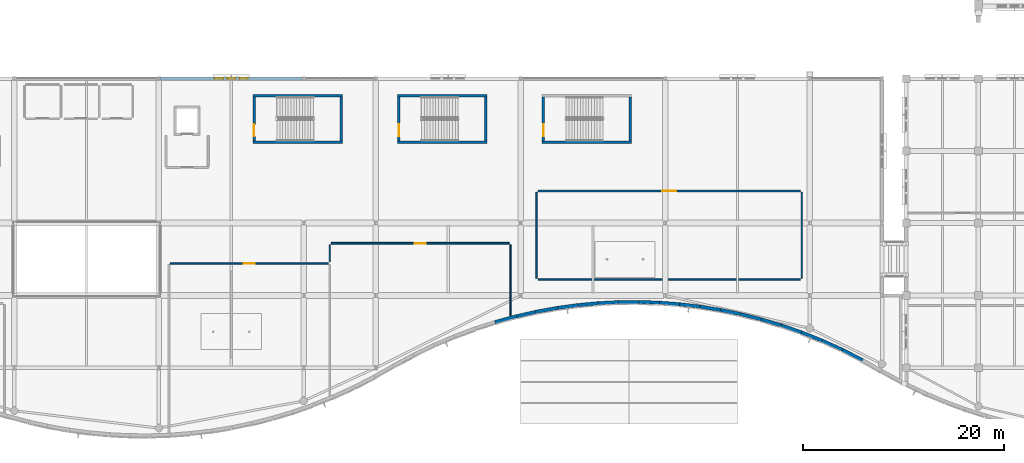
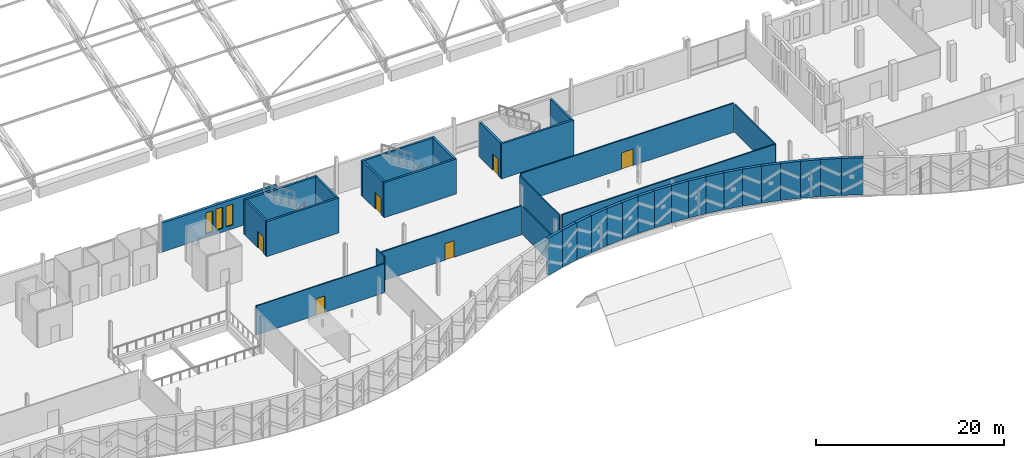
# One storey, part 138 of 193: 38 walls, 6 doors, 3 windows, 9 openings.
"""IFC4 building model written with IfcOpenShell, lengths in metres."""

from ifc_helpers import new_model, si_unit, direction, frame, frame_2d, origin, place, context, subcontext, project, spatial, rectangle, extrude, material, layer, layer_set, type_object, element, fill, save


model = new_model("IFC4")

# Units and contexts
model_context = context("Model", 3, precision=1e-05, world=origin(), true_north=direction((0.0, 1.0)))
body_context = subcontext(model_context, "Body", "Model", "MODEL_VIEW")
ifc_project = project(units=[si_unit("LENGTHUNIT", "METRE"), si_unit("AREAUNIT", "SQUARE_METRE"), si_unit("VOLUMEUNIT", "CUBIC_METRE"), si_unit("PLANEANGLEUNIT", "RADIAN"), si_unit("MASSUNIT", "GRAM", prefix="KILO")], contexts=[model_context])

# Site, building, storey
site_placement = place(None, origin())
site = spatial("IfcSite", under=ifc_project, at=site_placement, CompositionType="ELEMENT")
building_placement = place(site_placement, origin())
building = spatial("IfcBuilding", under=site, at=building_placement, Name="Cendralis Lancet Convention Centre", CompositionType="ELEMENT")
storey_placement = place(building_placement, frame((0.0, 0.0, 10.199951171875)))
storey = spatial("IfcBuildingStorey", under=building, at=storey_placement, Name="L02", CompositionType="ELEMENT", Elevation=10.199951171875)

# Wall, openings, windows
ifc_material_1 = material(Name="Buff sandstone ashlar and Concrete G40 (C40/50)", Category="masonry")
ifc_layer_1 = layer(ifc_material_1, 0.320068359375, Name="Buff sandstone ashlar and Concrete G40 (C40/50)")
ifc_layer_set_1 = layer_set([ifc_layer_1], Name="Buff sandstone ashlar and Concrete G40 (C40/50)")
wall_type_1 = type_object("IfcWallType", Name="ARC-EW-W320", PredefinedType="STANDARD", material=ifc_layer_set_1)
wall_1_placement = place(storey_placement, frame((57.758056640625, 36.0, 0.0), z_axis=(0.0, 0.0, 1.0), x_axis=(1.0, 0.0, 0.0)))
wall_1 = element("IfcWall", 1, at=wall_1_placement, inside=storey, type_object=wall_type_1, Name="L02 V4 Exterior Wall EW-06 #0208", PredefinedType="STANDARD", context=body_context, shape_type="SweptSolid", body=[
    extrude(rectangle(XDim=14.083984375, YDim=0.320068359375, at=frame_2d((7.0419921875, 0.0))), origin(), (0.0, 0.0, 1.0), 3.775146484375),
])
opening_1_placement = place(wall_1_placement, frame((5.382080078125, 0.0, 0.5)))
opening_1 = element("IfcOpeningElement", 2, at=opening_1_placement, cuts=wall_1, Name="Opening WN-15", PredefinedType="OPENING", context=body_context, shape_type="SweptSolid", body=[
    extrude(rectangle(XDim=0.840087890625, YDim=2.699951171875, at=frame_2d((0.419921875, 1.35009765625))), frame((0.0, 0.169921875, 0.0), z_axis=(0.0, -1.0, 0.0), x_axis=(1.0, 0.0, 0.0)), (0.0, 0.0, 1.0), 0.340087890625),
])
opening_2_placement = place(wall_1_placement, frame((6.64208984375, 0.0, 0.5)))
opening_2 = element("IfcOpeningElement", 3, at=opening_2_placement, cuts=wall_1, Name="Opening WN-07", PredefinedType="OPENING", context=body_context, shape_type="SweptSolid", body=[
    extrude(rectangle(XDim=0.800048828125, YDim=2.75, at=frame_2d((0.39990234375, 1.375))), frame((0.0, 0.169921875, 0.0), z_axis=(0.0, -1.0, 0.0), x_axis=(1.0, 0.0, 0.0)), (0.0, 0.0, 1.0), 0.340087890625),
])
opening_3_placement = place(wall_1_placement, frame((7.862060546875, 0.0, 0.5)))
opening_3 = element("IfcOpeningElement", 4, at=opening_3_placement, cuts=wall_1, Name="Opening WN-15", PredefinedType="OPENING", context=body_context, shape_type="SweptSolid", body=[
    extrude(rectangle(XDim=0.840087890625, YDim=2.699951171875, at=frame_2d((0.419921875, 1.35009765625))), frame((0.0, 0.169921875, 0.0), z_axis=(0.0, -1.0, 0.0), x_axis=(1.0, 0.0, 0.0)), (0.0, 0.0, 1.0), 0.340087890625),
])
ifc_material_2 = material(Name="Double-glazed low-E solar-control glass", Category="glass")
window_type_1 = type_object("IfcWindowType", Name="ARC-WN-LW07", PartitioningType="SINGLE_PANEL", PredefinedType="WINDOW", material=ifc_material_2)
window_1_placement = place(opening_2_placement, origin())
window_1 = element("IfcWindow", 5, at=window_1_placement, inside=storey, type_object=window_type_1, Name="Gothic Lancet Window WN-07 #0410", OverallHeight=2.75, OverallWidth=0.800048828125, PartitioningType="SINGLE_PANEL", PredefinedType="WINDOW", context=body_context, shape_type="SweptSolid", body=[
    extrude(rectangle(XDim=0.800048828125, YDim=2.75, at=frame_2d((0.39990234375, 1.375))), frame((0.0, 0.030029296875, 0.0), z_axis=(0.0, -1.0, 0.0), x_axis=(1.0, 0.0, 0.0)), (0.0, 0.0, 1.0), 0.06005859375),
])
fill(opening_2, window_1)
window_type_2 = type_object("IfcWindowType", Name="ARC-WN-LW15", PartitioningType="SINGLE_PANEL", PredefinedType="WINDOW", material=ifc_material_2)
window_2_placement = place(opening_1_placement, origin())
window_2 = element("IfcWindow", 6, at=window_2_placement, inside=storey, type_object=window_type_2, Name="Gothic Lancet Window WN-15 #0409", OverallHeight=2.699951171875, OverallWidth=0.840087890625, PartitioningType="SINGLE_PANEL", PredefinedType="WINDOW", context=body_context, shape_type="SweptSolid", body=[
    extrude(rectangle(XDim=0.840087890625, YDim=2.699951171875, at=frame_2d((0.419921875, 1.35009765625))), frame((0.0, 0.030029296875, 0.0), z_axis=(0.0, -1.0, 0.0), x_axis=(1.0, 0.0, 0.0)), (0.0, 0.0, 1.0), 0.06005859375),
])
fill(opening_1, window_2)
window_3_placement = place(opening_3_placement, origin())
window_3 = element("IfcWindow", 7, at=window_3_placement, inside=storey, type_object=window_type_2, Name="Gothic Lancet Window WN-15 #0411", OverallHeight=2.699951171875, OverallWidth=0.840087890625, PartitioningType="SINGLE_PANEL", PredefinedType="WINDOW", context=body_context, shape_type="SweptSolid", body=[
    extrude(rectangle(XDim=0.840087890625, YDim=2.699951171875, at=frame_2d((0.419921875, 1.35009765625))), frame((0.0, 0.030029296875, 0.0), z_axis=(0.0, -1.0, 0.0), x_axis=(1.0, 0.0, 0.0)), (0.0, 0.0, 1.0), 0.06005859375),
])
fill(opening_3, window_3)

# Walls
ifc_layer_2 = layer(ifc_material_1, 0.340087890625, Name="Buff sandstone ashlar and Concrete G40 (C40/50)")
ifc_layer_set_2 = layer_set([ifc_layer_2], Name="Buff sandstone ashlar and Concrete G40 (C40/50)")
wall_type_2 = type_object("IfcWallType", Name="ARC-EW-W340", PredefinedType="STANDARD", material=ifc_layer_set_2)
wall_2_placement = place(storey_placement, frame((91.052978515625, 11.74169921875, 0.0), z_axis=(0.0, 0.0, 1.0), x_axis=(0.964609795195, 0.263681518151, 0.0)))
element("IfcWall", 8, at=wall_2_placement, inside=storey, type_object=wall_type_2, Name="South Boulevard Wave Wall L02 WP-046-WP-047", PredefinedType="STANDARD", context=body_context, shape_type="SweptSolid", body=[
    extrude(rectangle(XDim=2.270263671875, YDim=0.340087890625, at=frame_2d((1.13525390625, 0.0))), origin(), (0.0, 0.0, 1.0), 4.800048828125),
])
wall_3_placement = place(storey_placement, frame((93.078125, 12.29931640625, 0.0), z_axis=(0.0, 0.0, 1.0), x_axis=(0.97525761738, 0.221071435835, 0.0)))
element("IfcWall", 9, at=wall_3_placement, inside=storey, type_object=wall_type_2, Name="South Boulevard Wave Wall L02 WP-047-WP-048", PredefinedType="STANDARD", context=body_context, shape_type="SweptSolid", body=[
    extrude(rectangle(XDim=2.246337890625, YDim=0.340087890625, at=frame_2d((1.123046875, 0.0))), origin(), (0.0, 0.0, 1.0), 4.800048828125),
])
wall_4_placement = place(storey_placement, frame((95.102294921875, 12.76171875, 0.0), z_axis=(0.0, 0.0, 1.0), x_axis=(0.983806745021, 0.179232498313, 0.0)))
element("IfcWall", 10, at=wall_4_placement, inside=storey, type_object=wall_type_2, Name="South Boulevard Wave Wall L02 WP-048-WP-049", PredefinedType="STANDARD", context=body_context, shape_type="SweptSolid", body=[
    extrude(rectangle(XDim=2.228515625, YDim=0.340087890625, at=frame_2d((1.1142578125, 0.0))), origin(), (0.0, 0.0, 1.0), 4.800048828125),
])
wall_5_placement = place(storey_placement, frame((97.126708984375, 13.134521484375, 0.0), z_axis=(0.0, 0.0, 1.0), x_axis=(0.990595897683, 0.136820201338, 0.0)))
element("IfcWall", 11, at=wall_5_placement, inside=storey, type_object=wall_type_2, Name="South Boulevard Wave Wall L02 WP-049-WP-050", PredefinedType="STANDARD", context=body_context, shape_type="SweptSolid", body=[
    extrude(rectangle(XDim=2.21435546875, YDim=0.340087890625, at=frame_2d((1.107177734375, 0.0))), origin(), (0.0, 0.0, 1.0), 4.800048828125),
])
wall_6_placement = place(storey_placement, frame((99.1513671875, 13.41796875, 0.0), z_axis=(0.0, 0.0, 1.0), x_axis=(0.995489001927, 0.094877010081, 0.0)))
element("IfcWall", 12, at=wall_6_placement, inside=storey, type_object=wall_type_2, Name="South Boulevard Wave Wall L02 WP-050-WP-051", PredefinedType="STANDARD", context=body_context, shape_type="SweptSolid", body=[
    extrude(rectangle(XDim=2.205322265625, YDim=0.340087890625, at=frame_2d((1.1025390625, 0.0))), origin(), (0.0, 0.0, 1.0), 4.800048828125),
])
wall_7_placement = place(storey_placement, frame((101.177001953125, 13.614501953125, 0.0), z_axis=(0.0, 0.0, 1.0), x_axis=(0.998607068728, 0.052762887391, 0.0)))
element("IfcWall", 13, at=wall_7_placement, inside=storey, type_object=wall_type_2, Name="South Boulevard Wave Wall L02 WP-051-WP-052", PredefinedType="STANDARD", context=body_context, shape_type="SweptSolid", body=[
    extrude(rectangle(XDim=2.197998046875, YDim=0.340087890625, at=frame_2d((1.09912109375, 0.0))), origin(), (0.0, 0.0, 1.0), 4.800048828125),
])
wall_8_placement = place(storey_placement, frame((103.201904296875, 13.72509765625, 0.0), z_axis=(0.0, 0.0, 1.0), x_axis=(0.999946508465, 0.010343123711, 0.0)))
element("IfcWall", 14, at=wall_8_placement, inside=storey, type_object=wall_type_2, Name="South Boulevard Wave Wall L02 WP-052-WP-053", PredefinedType="STANDARD", context=body_context, shape_type="SweptSolid", body=[
    extrude(rectangle(XDim=2.195068359375, YDim=0.340087890625, at=frame_2d((1.09765625, 0.0))), origin(), (0.0, 0.0, 1.0), 4.800048828125),
])
wall_9_placement = place(storey_placement, frame((105.22705078125, 13.749755859375, 0.0), z_axis=(0.0, 0.0, 1.0), x_axis=(0.999501499211, -0.031571396483, 0.0)))
element("IfcWall", 15, at=wall_9_placement, inside=storey, type_object=wall_type_2, Name="South Boulevard Wave Wall L02 WP-053-WP-054", PredefinedType="STANDARD", context=body_context, shape_type="SweptSolid", body=[
    extrude(rectangle(XDim=2.196044921875, YDim=0.340087890625, at=frame_2d((1.09814453125, 0.0))), origin(), (0.0, 0.0, 1.0), 4.800048828125),
])
wall_10_placement = place(storey_placement, frame((107.252197265625, 13.689208984375, 0.0), z_axis=(0.0, 0.0, 1.0), x_axis=(0.997266543485, -0.073888031812, 0.0)))
element("IfcWall", 16, at=wall_10_placement, inside=storey, type_object=wall_type_2, Name="South Boulevard Wave Wall L02 WP-054-WP-055", PredefinedType="STANDARD", context=body_context, shape_type="SweptSolid", body=[
    extrude(rectangle(XDim=2.20068359375, YDim=0.340087890625, at=frame_2d((1.100341796875, 0.0))), origin(), (0.0, 0.0, 1.0), 4.800048828125),
])
wall_11_placement = place(storey_placement, frame((109.277587890625, 13.54296875, 0.0), z_axis=(0.0, 0.0, 1.0), x_axis=(0.993222810679, -0.116225850593, 0.0)))
element("IfcWall", 17, at=wall_11_placement, inside=storey, type_object=wall_type_2, Name="South Boulevard Wave Wall L02 WP-055-WP-056", PredefinedType="STANDARD", context=body_context, shape_type="SweptSolid", body=[
    extrude(rectangle(XDim=2.209716796875, YDim=0.340087890625, at=frame_2d((1.10498046875, 0.0))), origin(), (0.0, 0.0, 1.0), 4.800048828125),
])
wall_12_placement = place(storey_placement, frame((111.30419921875, 13.3095703125, 0.0), z_axis=(0.0, 0.0, 1.0), x_axis=(0.987354042935, -0.158530734875, 0.0)))
element("IfcWall", 18, at=wall_12_placement, inside=storey, type_object=wall_type_2, Name="South Boulevard Wave Wall L02 WP-056-WP-057", PredefinedType="STANDARD", context=body_context, shape_type="SweptSolid", body=[
    extrude(rectangle(XDim=2.220703125, YDim=0.340087890625, at=frame_2d((1.1103515625, 0.0))), origin(), (0.0, 0.0, 1.0), 4.800048828125),
])
wall_13_placement = place(storey_placement, frame((113.32958984375, 12.988037109375, 0.0), z_axis=(0.0, 0.0, 1.0), x_axis=(0.979633533844, -0.200793773229, 0.0)))
element("IfcWall", 19, at=wall_13_placement, inside=storey, type_object=wall_type_2, Name="South Boulevard Wave Wall L02 WP-057-WP-058", PredefinedType="STANDARD", context=body_context, shape_type="SweptSolid", body=[
    extrude(rectangle(XDim=2.2373046875, YDim=0.340087890625, at=frame_2d((1.11865234375, 0.0))), origin(), (0.0, 0.0, 1.0), 4.800048828125),
])
wall_14_placement = place(storey_placement, frame((115.35546875, 12.57666015625, 0.0), z_axis=(0.0, 0.0, 1.0), x_axis=(0.970155222992, -0.242484727976, 0.0)))
element("IfcWall", 20, at=wall_14_placement, inside=storey, type_object=wall_type_2, Name="South Boulevard Wave Wall L02 WP-058-WP-059", PredefinedType="STANDARD", context=body_context, shape_type="SweptSolid", body=[
    extrude(rectangle(XDim=2.25732421875, YDim=0.340087890625, at=frame_2d((1.128662109375, 0.0))), origin(), (0.0, 0.0, 1.0), 4.800048828125),
])
wall_15_placement = place(storey_placement, frame((117.381591796875, 12.07421875, 0.0), z_axis=(0.0, 0.0, 1.0), x_axis=(0.958465298996, -0.285209169944, 0.0)))
element("IfcWall", 21, at=wall_15_placement, inside=storey, type_object=wall_type_2, Name="South Boulevard Wave Wall L02 WP-059-WP-060", PredefinedType="STANDARD", context=body_context, shape_type="SweptSolid", body=[
    extrude(rectangle(XDim=2.283935546875, YDim=0.340087890625, at=frame_2d((1.14208984375, 0.0))), origin(), (0.0, 0.0, 1.0), 4.800048828125),
])
wall_16_placement = place(storey_placement, frame((119.40869140625, 11.474853515625, 0.0), z_axis=(0.0, 0.0, 1.0), x_axis=(0.944978543107, -0.327132317369, 0.0)))
element("IfcWall", 22, at=wall_16_placement, inside=storey, type_object=wall_type_2, Name="South Boulevard Wave Wall L02 WP-060-WP-061", PredefinedType="STANDARD", context=body_context, shape_type="SweptSolid", body=[
    extrude(rectangle(XDim=2.312744140625, YDim=0.340087890625, at=frame_2d((1.15625, 0.0))), origin(), (0.0, 0.0, 1.0), 4.800048828125),
])
wall_17_placement = place(storey_placement, frame((121.43505859375, 10.77734375, 0.0), z_axis=(0.0, 0.0, 1.0), x_axis=(0.929277325209, -0.369382799887, 0.0)))
element("IfcWall", 23, at=wall_17_placement, inside=storey, type_object=wall_type_2, Name="South Boulevard Wave Wall L02 WP-061-WP-062", PredefinedType="STANDARD", context=body_context, shape_type="SweptSolid", body=[
    extrude(rectangle(XDim=2.348876953125, YDim=0.340087890625, at=frame_2d((1.17431640625, 0.0))), origin(), (0.0, 0.0, 1.0), 4.800048828125),
])
wall_18_placement = place(storey_placement, frame((123.46142578125, 9.97607421875, 0.0), z_axis=(0.0, 0.0, 1.0), x_axis=(0.911443451381, -0.411425369823, 0.0)))
element("IfcWall", 24, at=wall_18_placement, inside=storey, type_object=wall_type_2, Name="South Boulevard Wave Wall L02 WP-062-WP-063", PredefinedType="STANDARD", context=body_context, shape_type="SweptSolid", body=[
    extrude(rectangle(XDim=2.39208984375, YDim=0.340087890625, at=frame_2d((1.196044921875, 0.0))), origin(), (0.0, 0.0, 1.0), 4.800048828125),
])
wall_19_placement = place(storey_placement, frame((125.48828125, 9.065673828125, 0.0), z_axis=(0.0, 0.0, 1.0), x_axis=(0.891025010913, -0.453954215673, 0.0)))
element("IfcWall", 25, at=wall_19_placement, inside=storey, type_object=wall_type_2, Name="South Boulevard Wave Wall L02 WP-063-WP-064", PredefinedType="STANDARD", context=body_context, shape_type="SweptSolid", body=[
    extrude(rectangle(XDim=2.44384765625, YDim=0.340087890625, at=frame_2d((1.221923828125, 0.0))), origin(), (0.0, 0.0, 1.0), 4.800048828125),
])
ifc_material_3 = material(Name="Acoustic fire-rated gypsum board on steel studs", Category="steel")
ifc_layer_3 = layer(ifc_material_3, 0.1201171875, Name="Acoustic fire-rated gypsum board on steel studs")
ifc_layer_set_3 = layer_set([ifc_layer_3], Name="Acoustic fire-rated gypsum board on steel studs")
wall_type_3 = type_object("IfcWallType", Name="ARC-IW-P120", PredefinedType="PARTITIONING", material=ifc_layer_set_3)
wall_20_placement = place(storey_placement, frame((74.60009765625, 17.739990234375, 0.0), z_axis=(0.0, 0.0, 1.0), x_axis=(0.0, 1.0, 0.0)))
element("IfcWall", 26, at=wall_20_placement, inside=storey, type_object=wall_type_3, Name="L02 Interior Partition IW-05 #0262", PredefinedType="PARTITIONING", context=body_context, shape_type="SweptSolid", body=[
    extrude(rectangle(XDim=1.719970703125, YDim=0.1201171875, at=frame_2d((0.85986328125, 0.0))), origin(), (0.0, 0.0, 1.0), 4.525146484375),
])

# Wall, opening, door
ifc_layer_4 = layer(ifc_material_3, 0.139892578125, Name="Acoustic fire-rated gypsum board on steel studs")
ifc_layer_set_4 = layer_set([ifc_layer_4], Name="Acoustic fire-rated gypsum board on steel studs")
wall_type_4 = type_object("IfcWallType", Name="ARC-IW-P140", PredefinedType="PARTITIONING", material=ifc_layer_set_4)
wall_21_placement = place(storey_placement, frame((58.739990234375, 17.60009765625, 0.0), z_axis=(0.0, 0.0, 1.0), x_axis=(1.0, 0.0, 0.0)))
wall_21 = element("IfcWall", 27, at=wall_21_placement, inside=storey, type_object=wall_type_4, Name="L02 Interior Partition IW-04 #0260", PredefinedType="PARTITIONING", context=body_context, shape_type="SweptSolid", body=[
    extrude(rectangle(XDim=15.719970703125, YDim=0.139892578125, at=frame_2d((7.85986328125, 0.0))), origin(), (0.0, 0.0, 1.0), 3.775146484375),
])
opening_4_placement = place(wall_21_placement, frame((7.31005859375, 0.0, 0.0)))
opening_4 = element("IfcOpeningElement", 28, at=opening_4_placement, cuts=wall_21, Name="Opening FD-11", PredefinedType="OPENING", context=body_context, shape_type="SweptSolid", body=[
    extrude(rectangle(XDim=1.10009765625, YDim=2.14990234375, at=frame_2d((0.550048828125, 1.074951171875))), frame((0.0, 0.079833984375, 0.0), z_axis=(0.0, -1.0, 0.0), x_axis=(1.0, 0.0, 0.0)), (0.0, 0.0, 1.0), 0.159912109375),
])
ifc_material_4 = material(Name="Steel S355", Category="steel")
door_type_1 = type_object("IfcDoorType", Name="ARC-DR-FF11", OperationType="NOTDEFINED", PredefinedType="DOOR", material=ifc_material_4)
door_1_placement = place(opening_4_placement, origin())
door_1 = element("IfcDoor", 29, at=door_1_placement, inside=storey, type_object=door_type_1, Name="L02-D014 L02 Interior Door FD-11 #0086", OperationType="SINGLE_SWING_LEFT", OverallHeight=2.14990234375, OverallWidth=1.10009765625, PredefinedType="DOOR", context=body_context, shape_type="SweptSolid", body=[
    extrude(rectangle(XDim=1.10009765625, YDim=2.14990234375, at=frame_2d((0.550048828125, 1.074951171875))), frame((0.0, 0.02490234375, 0.0), z_axis=(0.0, -1.0, 0.0), x_axis=(1.0, 0.0, 0.0)), (0.0, 0.0, 1.0), 0.050048828125),
])
fill(opening_4, door_1)

# Walls
wall_22_placement = place(storey_placement, frame((92.60009765625, 12.36376953125, 0.0), z_axis=(0.0, 0.0, 1.0), x_axis=(0.0, 1.0, 0.0)))
element("IfcWall", 30, at=wall_22_placement, inside=storey, type_object=wall_type_4, Name="L02 Interior Partition IW-04 #0264", PredefinedType="PARTITIONING", context=body_context, shape_type="SweptSolid", body=[
    extrude(rectangle(XDim=7.09619140625, YDim=0.139892578125, at=frame_2d((3.548095703125, 0.0))), origin(), (0.0, 0.0, 1.0), 3.625),
])
for number, where, z_axis, x_axis, name in (
    (31, (95.199951171875, 16.139892578125, 0.0), (0.0, 0.0, 1.0), (0.0, 1.0, 0.0), "L02 Interior Partition IW-04 #0267"),
    (32, (121.60009765625, 16.139892578125, 0.0), (0.0, 0.0, 1.0), (0.0, 1.0, 0.0), "L02 Interior Partition IW-04 #0268"),
):
    element("IfcWall", number, at=place(storey_placement, frame(where, z_axis=z_axis, x_axis=x_axis)), inside=storey, type_object=wall_type_4, Name=name, PredefinedType="PARTITIONING", context=body_context, shape_type="SweptSolid", body=[
        extrude(rectangle(XDim=8.52001953125, YDim=0.139892578125, at=frame_2d((4.260009765625, 0.0))), origin(), (0.0, 0.0, 1.0), 3.625),
    ])

# Wall, opening, door
ifc_layer_5 = layer(ifc_material_3, 0.159912109375, Name="Acoustic fire-rated gypsum board on steel studs")
ifc_layer_set_5 = layer_set([ifc_layer_5], Name="Acoustic fire-rated gypsum board on steel studs")
wall_type_5 = type_object("IfcWallType", Name="ARC-IW-P160", PredefinedType="PARTITIONING", material=ifc_layer_set_5)
wall_23_placement = place(storey_placement, frame((74.739990234375, 19.60009765625, 0.0), z_axis=(0.0, 0.0, 1.0), x_axis=(1.0, 0.0, 0.0)))
wall_23 = element("IfcWall", 33, at=wall_23_placement, inside=storey, type_object=wall_type_5, Name="L02 Interior Partition IW-03 #0263", PredefinedType="PARTITIONING", context=body_context, shape_type="SweptSolid", body=[
    extrude(rectangle(XDim=17.719970703125, YDim=0.159912109375, at=frame_2d((8.85986328125, 0.0))), origin(), (0.0, 0.0, 1.0), 3.775146484375),
])
opening_5_placement = place(wall_23_placement, frame((8.31005859375, 0.0, 0.0)))
opening_5 = element("IfcOpeningElement", 34, at=opening_5_placement, cuts=wall_23, Name="Opening FD-11", PredefinedType="OPENING", context=body_context, shape_type="SweptSolid", body=[
    extrude(rectangle(XDim=1.10009765625, YDim=2.14990234375, at=frame_2d((0.550048828125, 1.074951171875))), frame((0.0, 0.08984375, 0.0), z_axis=(0.0, -1.0, 0.0), x_axis=(1.0, 0.0, 0.0)), (0.0, 0.0, 1.0), 0.179931640625),
])
door_2_placement = place(opening_5_placement, frame((1.10009765625, 0.0, 0.0), z_axis=(0.0, 0.0, 1.0), x_axis=(-1.0, 0.0, 0.0)))
door_2 = element("IfcDoor", 35, at=door_2_placement, inside=storey, type_object=door_type_1, Name="L02-D015 L02 Interior Door FD-11 #0087", OperationType="SINGLE_SWING_RIGHT", OverallHeight=2.14990234375, OverallWidth=1.10009765625, PredefinedType="DOOR", context=body_context, shape_type="SweptSolid", body=[
    extrude(rectangle(XDim=1.10009765625, YDim=2.14990234375, at=frame_2d((0.550048828125, 1.074951171875))), frame((0.0, 0.02490234375, 0.0), z_axis=(0.0, -1.0, 0.0), x_axis=(1.0, 0.0, 0.0)), (0.0, 0.0, 1.0), 0.050048828125),
])
fill(opening_5, door_2)

# Wall
wall_24_placement = place(storey_placement, frame((95.340087890625, 16.0, 0.0), z_axis=(0.0, 0.0, 1.0), x_axis=(1.0, 0.0, 0.0)))
element("IfcWall", 36, at=wall_24_placement, inside=storey, type_object=wall_type_5, Name="L02 Interior Partition IW-03 #0265", PredefinedType="PARTITIONING", context=body_context, shape_type="SweptSolid", body=[
    extrude(rectangle(XDim=26.119873046875, YDim=0.159912109375, at=frame_2d((13.06005859375, 0.0))), origin(), (0.0, 0.0, 1.0), 3.775146484375),
])

# Wall, opening, door
wall_25_placement = place(storey_placement, frame((95.340087890625, 24.800048828125, 0.0), z_axis=(0.0, 0.0, 1.0), x_axis=(1.0, 0.0, 0.0)))
wall_25 = element("IfcWall", 37, at=wall_25_placement, inside=storey, type_object=wall_type_5, Name="L02 Interior Partition IW-03 #0266", PredefinedType="PARTITIONING", context=body_context, shape_type="SweptSolid", body=[
    extrude(rectangle(XDim=26.119873046875, YDim=0.159912109375, at=frame_2d((13.06005859375, 0.0))), origin(), (0.0, 0.0, 1.0), 3.775146484375),
])
opening_6_placement = place(wall_25_placement, frame((12.360107421875, 0.0, 0.0)))
opening_6 = element("IfcOpeningElement", 38, at=opening_6_placement, cuts=wall_25, Name="Opening ID-14", PredefinedType="OPENING", context=body_context, shape_type="SweptSolid", body=[
    extrude(rectangle(XDim=1.39990234375, YDim=2.14990234375, at=frame_2d((0.699951171875, 1.074951171875))), frame((0.0, 0.08984375, 0.0), z_axis=(0.0, -1.0, 0.0), x_axis=(1.0, 0.0, 0.0)), (0.0, 0.0, 1.0), 0.179931640625),
])
ifc_material_5 = material(Name="Acoustic Chilean lenga timber and steel fire leaf", Category="steel")
door_type_2 = type_object("IfcDoorType", Name="ARC-DR-DB14", OperationType="NOTDEFINED", PredefinedType="DOOR", material=ifc_material_5)
door_3_placement = place(opening_6_placement, origin())
door_3 = element("IfcDoor", 39, at=door_3_placement, inside=storey, type_object=door_type_2, Name="L02-D016 L02 Interior Door ID-14 #0088", OperationType="DOUBLE_DOOR_SINGLE_SWING", OverallHeight=2.14990234375, OverallWidth=1.39990234375, PredefinedType="DOOR", context=body_context, shape_type="SweptSolid", body=[
    extrude(rectangle(XDim=1.39990234375, YDim=2.14990234375, at=frame_2d((0.699951171875, 1.074951171875))), frame((0.0, 0.02490234375, 0.0), z_axis=(0.0, -1.0, 0.0), x_axis=(1.0, 0.0, 0.0)), (0.0, 0.0, 1.0), 0.050048828125),
])
fill(opening_6, door_3)

ifc_material_6 = material(Name="Concrete G40 (C40/50)", Category="concrete")
ifc_layer_6 = layer(ifc_material_6, 0.25, Name="Concrete G40 (C40/50)")
ifc_layer_set_6 = layer_set([ifc_layer_6], Name="Concrete G40 (C40/50)")
wall_type_6 = type_object("IfcWallType", Name="STR-SW-CW250", PredefinedType="SHEAR", material=ifc_layer_set_6)
wall_26_placement = place(storey_placement, frame((67.074951171875, 29.800048828125, 0.0), z_axis=(0.0, 0.0, 1.0), x_axis=(0.0, 1.0, 0.0)))
wall_26 = element("IfcWall", 40, at=wall_26_placement, inside=storey, type_object=wall_type_6, Name="L02 Stair Core ST-12 West Shear Wall", PredefinedType="SHEAR", context=body_context, shape_type="SweptSolid", body=[
    extrude(rectangle(XDim=4.3798828125, YDim=0.25, at=frame_2d((2.18994140625, 0.0))), origin(), (0.0, 0.0, 1.0), 4.5400390625),
])
opening_7_placement = place(wall_26_placement, frame((0.449951171875, 0.0, 0.0)))
opening_7 = element("IfcOpeningElement", 41, at=opening_7_placement, cuts=wall_26, Name="Opening SD-12", PredefinedType="OPENING", context=body_context, shape_type="SweptSolid", body=[
    extrude(rectangle(XDim=1.199951171875, YDim=2.14990234375, at=frame_2d((0.60009765625, 1.074951171875))), frame((0.0, 0.135009765625, 0.0), z_axis=(0.0, -1.0, 0.0), x_axis=(1.0, 0.0, 0.0)), (0.0, 0.0, 1.0), 0.27001953125),
])
door_type_3 = type_object("IfcDoorType", Name="ARC-DR-ST12", OperationType="NOTDEFINED", PredefinedType="DOOR", material=ifc_material_4)
door_4_placement = place(opening_7_placement, frame((1.199951171875, 0.0, 0.0), z_axis=(0.0, 0.0, 1.0), x_axis=(-1.0, 0.0, 0.0)))
door_4 = element("IfcDoor", 42, at=door_4_placement, inside=storey, type_object=door_type_3, Name="L02-D059 L02 Exit Stair ST-12 Fire Door", OperationType="SINGLE_SWING_RIGHT", OverallHeight=2.14990234375, OverallWidth=1.199951171875, PredefinedType="DOOR", context=body_context, shape_type="SweptSolid", body=[
    extrude(rectangle(XDim=1.199951171875, YDim=2.14990234375, at=frame_2d((0.60009765625, 1.074951171875))), frame((0.0, 0.02490234375, 0.0), z_axis=(0.0, -1.0, 0.0), x_axis=(1.0, 0.0, 0.0)), (0.0, 0.0, 1.0), 0.050048828125),
])
fill(opening_7, door_4)

# Walls
wall_27_placement = place(storey_placement, frame((75.72509765625, 29.800048828125, 0.0), z_axis=(0.0, 0.0, 1.0), x_axis=(0.0, 1.0, 0.0)))
element("IfcWall", 43, at=wall_27_placement, inside=storey, type_object=wall_type_6, Name="L02 Stair Core ST-12 East Shear Wall", PredefinedType="SHEAR", context=body_context, shape_type="SweptSolid", body=[
    extrude(rectangle(XDim=4.3798828125, YDim=0.25, at=frame_2d((2.18994140625, 0.0))), origin(), (0.0, 0.0, 1.0), 4.5400390625),
])
for number, where, z_axis, x_axis, name in (
    (44, (66.949951171875, 29.675048828125, 0.0), (0.0, 0.0, 1.0), (1.0, 0.0, 0.0), "L02 Stair Core ST-12 South Shear Wall"),
    (45, (66.949951171875, 34.304931640625, 0.0), (0.0, 0.0, 1.0), (1.0, 0.0, 0.0), "L02 Stair Core ST-12 North Shear Wall"),
):
    element("IfcWall", number, at=place(storey_placement, frame(where, z_axis=z_axis, x_axis=x_axis)), inside=storey, type_object=wall_type_6, Name=name, PredefinedType="SHEAR", context=body_context, shape_type="SweptSolid", body=[
        extrude(rectangle(XDim=8.900146484375, YDim=0.25, at=frame_2d((4.4501953125, 0.0))), origin(), (0.0, 0.0, 1.0), 4.5400390625),
    ])

# Wall, opening, door
wall_28_placement = place(storey_placement, frame((95.875, 29.800048828125, 0.0), z_axis=(0.0, 0.0, 1.0), x_axis=(0.0, 1.0, 0.0)))
wall_28 = element("IfcWall", 46, at=wall_28_placement, inside=storey, type_object=wall_type_6, Name="L02 Stair Core ST-18 West Shear Wall", PredefinedType="SHEAR", context=body_context, shape_type="SweptSolid", body=[
    extrude(rectangle(XDim=4.3798828125, YDim=0.25, at=frame_2d((2.18994140625, 0.0))), origin(), (0.0, 0.0, 1.0), 4.5400390625),
])
opening_8_placement = place(wall_28_placement, frame((0.449951171875, 0.0, 0.0)))
opening_8 = element("IfcOpeningElement", 47, at=opening_8_placement, cuts=wall_28, Name="Opening SD-12", PredefinedType="OPENING", context=body_context, shape_type="SweptSolid", body=[
    extrude(rectangle(XDim=1.199951171875, YDim=2.14990234375, at=frame_2d((0.60009765625, 1.074951171875))), frame((0.0, 0.135009765625, 0.0), z_axis=(0.0, -1.0, 0.0), x_axis=(1.0, 0.0, 0.0)), (0.0, 0.0, 1.0), 0.27001953125),
])
door_5_placement = place(opening_8_placement, frame((1.199951171875, 0.0, 0.0), z_axis=(0.0, 0.0, 1.0), x_axis=(-1.0, 0.0, 0.0)))
door_5 = element("IfcDoor", 48, at=door_5_placement, inside=storey, type_object=door_type_3, Name="L02-D065 L02 Exit Stair ST-18 Fire Door", OperationType="SINGLE_SWING_LEFT", OverallHeight=2.14990234375, OverallWidth=1.199951171875, PredefinedType="DOOR", context=body_context, shape_type="SweptSolid", body=[
    extrude(rectangle(XDim=1.199951171875, YDim=2.14990234375, at=frame_2d((0.60009765625, 1.074951171875))), frame((0.0, 0.02490234375, 0.0), z_axis=(0.0, -1.0, 0.0), x_axis=(1.0, 0.0, 0.0)), (0.0, 0.0, 1.0), 0.050048828125),
])
fill(opening_8, door_5)

# Walls
wall_29_placement = place(storey_placement, frame((104.52490234375, 29.800048828125, 0.0), z_axis=(0.0, 0.0, 1.0), x_axis=(0.0, 1.0, 0.0)))
element("IfcWall", 49, at=wall_29_placement, inside=storey, type_object=wall_type_6, Name="L02 Stair Core ST-18 East Shear Wall", PredefinedType="SHEAR", context=body_context, shape_type="SweptSolid", body=[
    extrude(rectangle(XDim=4.3798828125, YDim=0.25, at=frame_2d((2.18994140625, 0.0))), origin(), (0.0, 0.0, 1.0), 4.5400390625),
])
wall_30_placement = place(storey_placement, frame((95.75, 29.675048828125, 0.0), z_axis=(0.0, 0.0, 1.0), x_axis=(1.0, 0.0, 0.0)))
element("IfcWall", 50, at=wall_30_placement, inside=storey, type_object=wall_type_6, Name="L02 Stair Core ST-18 South Shear Wall", PredefinedType="SHEAR", context=body_context, shape_type="SweptSolid", body=[
    extrude(rectangle(XDim=8.89990234375, YDim=0.25, at=frame_2d((4.449951171875, 0.0))), origin(), (0.0, 0.0, 1.0), 4.5400390625),
])

# Wall, opening, door
wall_31_placement = place(storey_placement, frame((81.47509765625, 29.800048828125, 0.0), z_axis=(0.0, 0.0, 1.0), x_axis=(0.0, 1.0, 0.0)))
wall_31 = element("IfcWall", 51, at=wall_31_placement, inside=storey, type_object=wall_type_6, Name="L02 Stair Core ST-21 West Shear Wall", PredefinedType="SHEAR", context=body_context, shape_type="SweptSolid", body=[
    extrude(rectangle(XDim=4.3798828125, YDim=0.25, at=frame_2d((2.18994140625, 0.0))), origin(), (0.0, 0.0, 1.0), 4.5400390625),
])
opening_9_placement = place(wall_31_placement, frame((0.449951171875, 0.0, 0.0)))
opening_9 = element("IfcOpeningElement", 52, at=opening_9_placement, cuts=wall_31, Name="Opening SD-12", PredefinedType="OPENING", context=body_context, shape_type="SweptSolid", body=[
    extrude(rectangle(XDim=1.199951171875, YDim=2.14990234375, at=frame_2d((0.60009765625, 1.074951171875))), frame((0.0, 0.135009765625, 0.0), z_axis=(0.0, -1.0, 0.0), x_axis=(1.0, 0.0, 0.0)), (0.0, 0.0, 1.0), 0.27001953125),
])
door_6_placement = place(opening_9_placement, frame((1.199951171875, 0.0, 0.0), z_axis=(0.0, 0.0, 1.0), x_axis=(-1.0, 0.0, 0.0)))
door_6 = element("IfcDoor", 53, at=door_6_placement, inside=storey, type_object=door_type_3, Name="L02-D068 L02 Exit Stair ST-21 Fire Door", OperationType="SINGLE_SWING_RIGHT", OverallHeight=2.14990234375, OverallWidth=1.199951171875, PredefinedType="DOOR", context=body_context, shape_type="SweptSolid", body=[
    extrude(rectangle(XDim=1.199951171875, YDim=2.14990234375, at=frame_2d((0.60009765625, 1.074951171875))), frame((0.0, 0.02490234375, 0.0), z_axis=(0.0, -1.0, 0.0), x_axis=(1.0, 0.0, 0.0)), (0.0, 0.0, 1.0), 0.050048828125),
])
fill(opening_9, door_6)

# Walls
wall_32_placement = place(storey_placement, frame((90.125, 29.800048828125, 0.0), z_axis=(0.0, 0.0, 1.0), x_axis=(0.0, 1.0, 0.0)))
element("IfcWall", 54, at=wall_32_placement, inside=storey, type_object=wall_type_6, Name="L02 Stair Core ST-21 East Shear Wall", PredefinedType="SHEAR", context=body_context, shape_type="SweptSolid", body=[
    extrude(rectangle(XDim=4.3798828125, YDim=0.25, at=frame_2d((2.18994140625, 0.0))), origin(), (0.0, 0.0, 1.0), 4.5400390625),
])
for number, where, z_axis, x_axis, name in (
    (55, (81.35009765625, 29.675048828125, 0.0), (0.0, 0.0, 1.0), (1.0, 0.0, 0.0), "L02 Stair Core ST-21 South Shear Wall"),
    (56, (81.35009765625, 34.304931640625, 0.0), (0.0, 0.0, 1.0), (1.0, 0.0, 0.0), "L02 Stair Core ST-21 North Shear Wall"),
):
    element("IfcWall", number, at=place(storey_placement, frame(where, z_axis=z_axis, x_axis=x_axis)), inside=storey, type_object=wall_type_6, Name=name, PredefinedType="SHEAR", context=body_context, shape_type="SweptSolid", body=[
        extrude(rectangle(XDim=8.89990234375, YDim=0.25, at=frame_2d((4.449951171875, 0.0))), origin(), (0.0, 0.0, 1.0), 4.5400390625),
    ])

save(model, "model.ifc")
